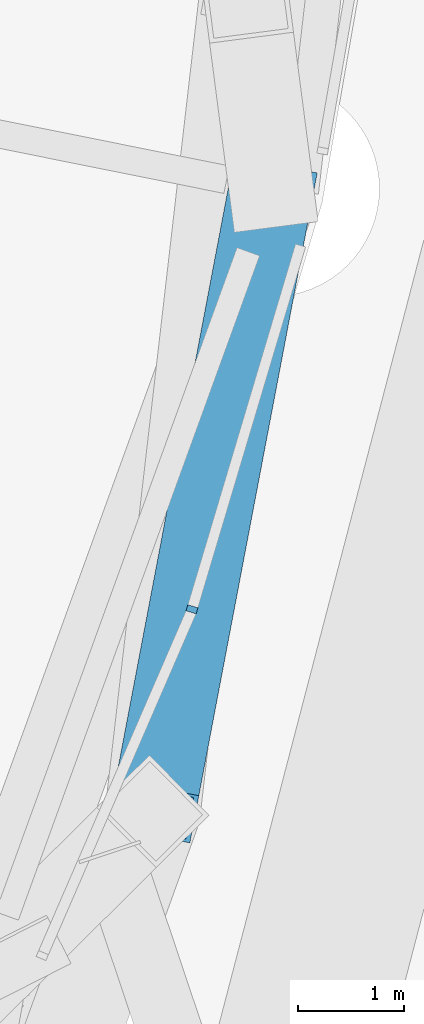
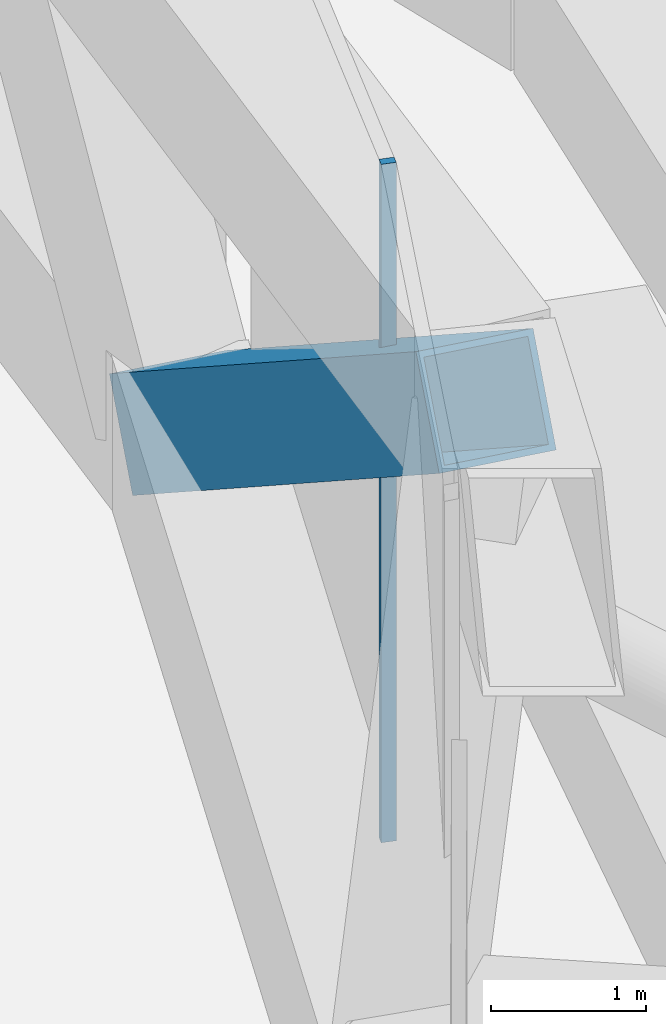
# One storey, part 14 of 65: 1 beam, 1 member, 1 element without a shape of its own.
"""IFC4 building model written with IfcOpenShell, lengths in metres."""

from ifc_helpers import new_model, si_unit, direction, frame, origin, origin_2d, place, context, subcontext, project, spatial, rectangle, hollow_rectangle, extrude, material, layer, layer_set, material_profile, profile_set, type_object, element, aggregate, save


model = new_model("IFC4")

# Units and contexts
model_context = context("Model", 3, precision=1e-05, world=origin(), true_north=direction((0.0, 1.0)))
body_context = subcontext(model_context, "Body", "Model", "MODEL_VIEW")
ifc_project = project(units=[si_unit("LENGTHUNIT", "METRE"), si_unit("AREAUNIT", "SQUARE_METRE"), si_unit("VOLUMEUNIT", "CUBIC_METRE"), si_unit("PLANEANGLEUNIT", "RADIAN"), si_unit("MASSUNIT", "GRAM", prefix="KILO")], contexts=[model_context])

# Site, building, storey
site_placement = place(None, origin())
site = spatial("IfcSite", under=ifc_project, at=site_placement, CompositionType="ELEMENT")
building_placement = place(site_placement, origin())
building = spatial("IfcBuilding", under=site, at=building_placement, Name="Nagisa Residences", CompositionType="ELEMENT")
storey_placement = place(building_placement, frame((0.0, 0.0, 114.0)))
storey = spatial("IfcBuildingStorey", under=building, at=storey_placement, Name="L28", CompositionType="ELEMENT", Elevation=114.0)

# Beam
ifc_material_1 = material(Name="Steel ASTM A572 Gr 50", Category="steel")
ifc_material_profile_1 = material_profile(ifc_material_1, hollow_rectangle(XDim=0.800048828125, YDim=0.800048828125, WallThickness=0.044921875, at=origin_2d()), Name="BX 800x800x45")
ifc_profile_set_1 = profile_set([ifc_material_profile_1], Name="Steel ASTM A572 Gr 50")
beam_type = type_object("IfcBeamType", Name="Belt diagonal 2 BX 800x800x45", PredefinedType="BEAM", material=ifc_profile_set_1)
beam_placement = place(storey_placement, frame((24.46826171875, -4.90966796875, 0.60009765625), z_axis=(-0.153708100819, -0.808566910825, 0.567973036738), x_axis=(0.98240653629, -0.186754912802, 0.0)))
element("IfcBeam", 1, at=beam_placement, inside=storey, type_object=beam_type, Name="beam:L28:bt2da24", PredefinedType="BEAM", context=body_context, shape_type="SweptSolid", body=[
    extrude(hollow_rectangle(XDim=0.800048828125, YDim=0.800048828125, WallThickness=0.044921875, at=origin_2d()), origin(), (0.0, 0.0, 1.0), 7.288818359375),
])

# Curtain wall, member
ifc_material_2 = material(Name="Aluminium curtain wall system", Category="aluminium")
ifc_layer = layer(ifc_material_2, 0.159912109375)
ifc_layer_set = layer_set([ifc_layer], Name="CW5 CURTAIN WALL")
curtain_wall_type = type_object("IfcCurtainWallType", Name="CW5 CURTAIN WALL", PredefinedType="NOTDEFINED", material=ifc_layer_set)
curtain_wall_placement = place(storey_placement, origin())
curtain_wall = element("IfcCurtainWall", 2, at=curtain_wall_placement, inside=storey, type_object=curtain_wall_type, Name="cw:CW5:L28:45", PredefinedType="NOTDEFINED")
ifc_material_3 = material(Name="Aluminium", Category="aluminium")
ifc_material_profile_2 = material_profile(ifc_material_3, rectangle(XDim=0.10009765625, YDim=0.06005859375, at=origin_2d()), Name="CW5 MULLION 100x60")
ifc_profile_set_2 = profile_set([ifc_material_profile_2], Name="Aluminium")
member_type = type_object("IfcMemberType", Name="CW5 MULLION 100x60", PredefinedType="MULLION", material=ifc_profile_set_2)
member_placement = place(storey_placement, frame((23.71875, -8.890869140625, 0.0), z_axis=(0.0, 0.0, 1.0), x_axis=(-0.958271310082, 0.285860274038, 0.0)))
member = element("IfcMember", 3, at=member_placement, type_object=member_type, Name="CW5 mullion", PredefinedType="MULLION", context=body_context, shape_type="SweptSolid", body=[
    extrude(rectangle(XDim=0.10009765625, YDim=0.06005859375, at=origin_2d()), origin(), (0.0, 0.0, 1.0), 5.340087890625),
])
aggregate(curtain_wall, [member])

save(model, "model.ifc")
